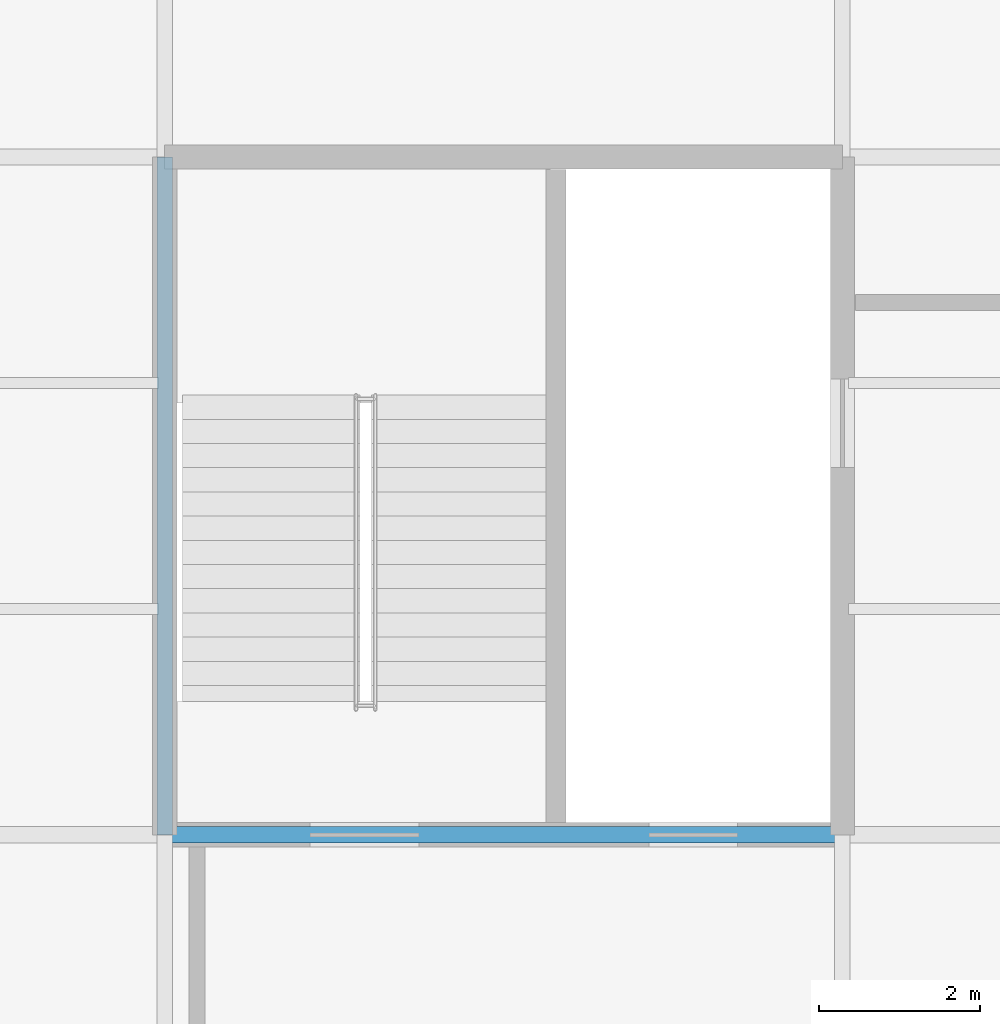
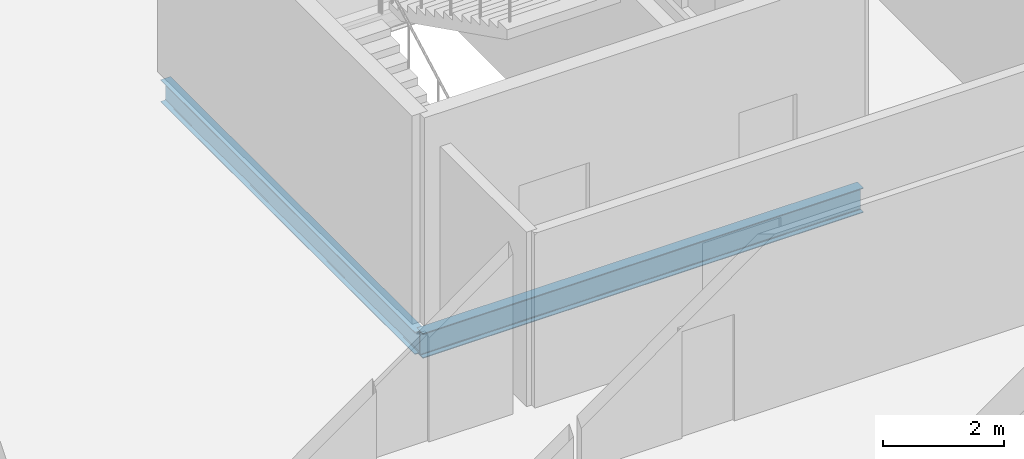
# One storey, part 24 of 184: 2 beams.
"""IFC4 building model written with IfcOpenShell, lengths in metres."""

from ifc_helpers import new_model, si_unit, direction, frame, origin, origin_2d, place, context, subcontext, project, spatial, i_section, extrude, material, material_profile, profile_set, type_object, element, save


model = new_model("IFC4")

# Units and contexts
model_context = context("Model", 3, precision=1e-05, world=origin(), true_north=direction((0.0, 1.0)))
body_context = subcontext(model_context, "Body", "Model", "MODEL_VIEW")
ifc_project = project(units=[si_unit("LENGTHUNIT", "METRE"), si_unit("AREAUNIT", "SQUARE_METRE"), si_unit("VOLUMEUNIT", "CUBIC_METRE"), si_unit("PLANEANGLEUNIT", "RADIAN"), si_unit("MASSUNIT", "GRAM", prefix="KILO")], contexts=[model_context])

# Site, building, storey
site_placement = place(None, origin())
site = spatial("IfcSite", under=ifc_project, at=site_placement, CompositionType="ELEMENT")
building_placement = place(site_placement, origin())
building = spatial("IfcBuilding", under=site, at=building_placement, Name="Qalvenar Corner Mobility Hub", CompositionType="ELEMENT")
storey_placement = place(building_placement, frame((0.0, 0.0, 9.0)))
storey = spatial("IfcBuildingStorey", under=building, at=storey_placement, Name="L02", CompositionType="ELEMENT", Elevation=9.0)

# Beams
ifc_material = material(Name="Steel S355", Category="steel")
ifc_material_profile_1 = material_profile(ifc_material, i_section(OverallWidth=0.18994140625, OverallDepth=0.449951171875, WebThickness=0.009521484375, FlangeThickness=0.0146484375, FilletRadius=0.02099609375, at=origin_2d()), Name="IPE450")
ifc_profile_set_1 = profile_set([ifc_material_profile_1], Name="Steel S355")
beam_type_1 = type_object("IfcBeamType", Name="BM-IPE450", PredefinedType="BEAM", material=ifc_profile_set_1)
beam_1_placement = place(storey_placement, frame((8.39990234375, 8.39990234375, -0.405029296875), z_axis=(0.0, 1.0, 0.0), x_axis=(-1.0, 0.0, 0.0)))
element("IfcBeam", 1, at=beam_1_placement, inside=storey, type_object=beam_type_1, Name="Primary Steel Girder GY-1583", PredefinedType="BEAM", context=body_context, shape_type="SweptSolid", body=[
    extrude(i_section(OverallWidth=0.18994140625, OverallDepth=0.449951171875, WebThickness=0.009521484375, FlangeThickness=0.0146484375, FilletRadius=0.02099609375, at=origin_2d()), origin(), (0.0, 0.0, 1.0), 8.400146484375),
])
ifc_material_profile_2 = material_profile(ifc_material, i_section(OverallWidth=0.199951171875, OverallDepth=0.5, WebThickness=0.01025390625, FlangeThickness=0.01611328125, FilletRadius=0.02099609375, at=origin_2d()), Name="IPE500")
ifc_profile_set_2 = profile_set([ifc_material_profile_2], Name="Steel S355")
beam_type_2 = type_object("IfcBeamType", Name="BM-IPE500", PredefinedType="BEAM", material=ifc_profile_set_2)
beam_2_placement = place(storey_placement, frame((8.39990234375, 8.39990234375, -0.429931640625), z_axis=(1.0, 0.0, 0.0), x_axis=(0.0, 1.0, 0.0)))
element("IfcBeam", 2, at=beam_2_placement, inside=storey, type_object=beam_type_2, Name="Primary Steel Girder GX-1548", PredefinedType="BEAM", context=body_context, shape_type="SweptSolid", body=[
    extrude(i_section(OverallWidth=0.199951171875, OverallDepth=0.5, WebThickness=0.01025390625, FlangeThickness=0.01611328125, FilletRadius=0.02099609375, at=origin_2d()), origin(), (0.0, 0.0, 1.0), 8.400146484375),
])

save(model, "model.ifc")
